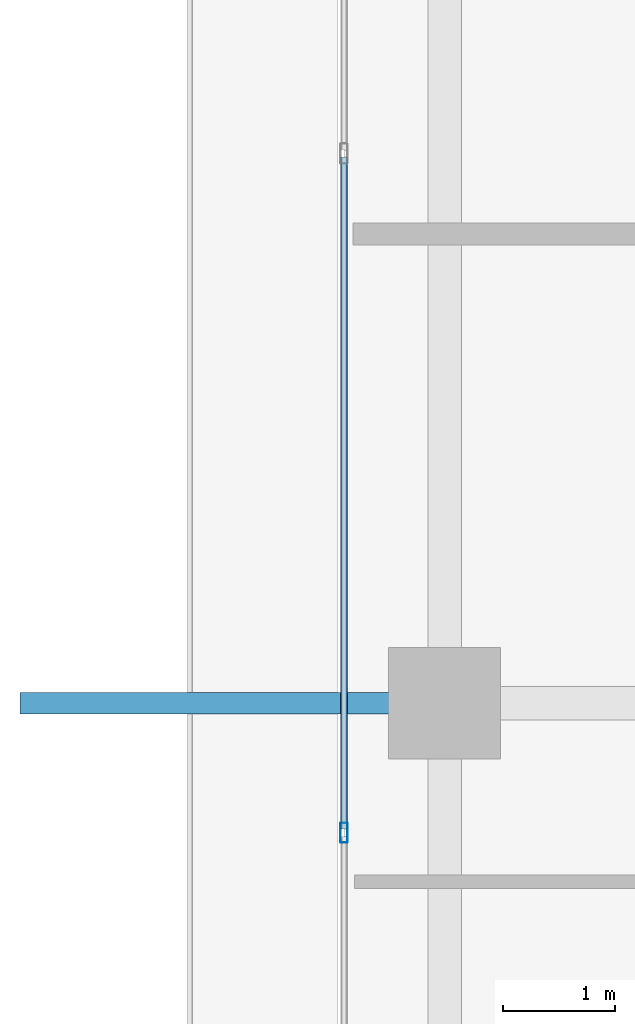
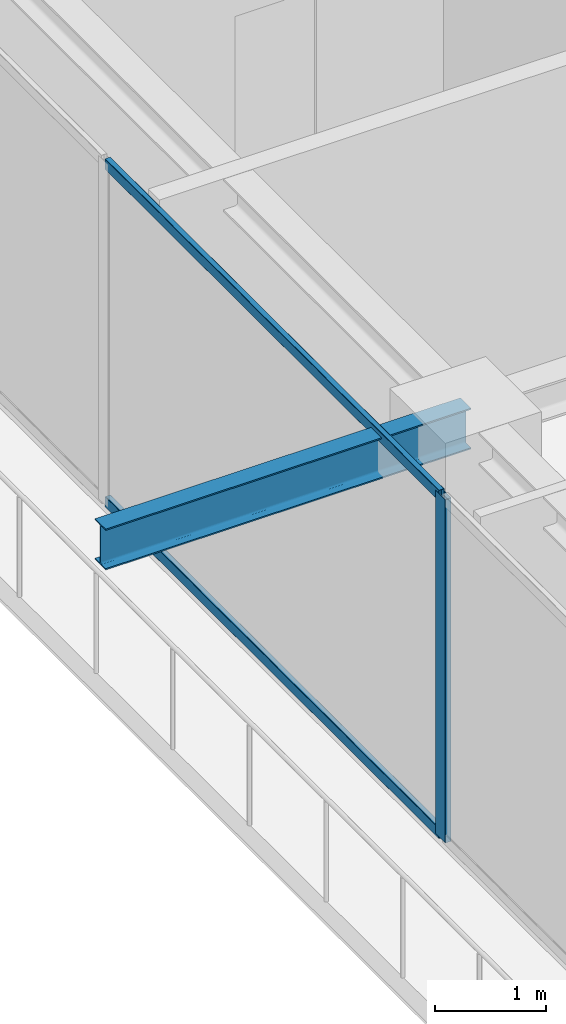
# One storey, part 10 of 40: 3 members, 1 beam, 1 element without a shape of its own.
"""IFC4 building model written with IfcOpenShell, lengths in metres."""

from ifc_helpers import new_model, si_unit, direction, frame, origin, origin_2d, place, context, subcontext, project, spatial, hollow_rectangle, i_section, extrude, source, transform, mapped, material, layer, layer_set, material_profile, profile_set, type_object, element, aggregate, save


model = new_model("IFC4")

# Units and contexts
model_context = context("Model", 3, precision=1e-05, world=origin(), true_north=direction((0.0, 1.0)))
body_context = subcontext(model_context, "Body", "Model", "MODEL_VIEW")
ifc_project = project(units=[si_unit("LENGTHUNIT", "METRE"), si_unit("AREAUNIT", "SQUARE_METRE"), si_unit("VOLUMEUNIT", "CUBIC_METRE"), si_unit("PLANEANGLEUNIT", "RADIAN"), si_unit("MASSUNIT", "GRAM", prefix="KILO")], contexts=[model_context])

# Site, building, storey
site_placement = place(None, origin())
site = spatial("IfcSite", under=ifc_project, at=site_placement, CompositionType="ELEMENT")
building_placement = place(site_placement, origin())
building = spatial("IfcBuilding", under=site, at=building_placement, Name="Serunith Strait Residences", CompositionType="ELEMENT")
storey_placement = place(building_placement, frame((0.0, 0.0, 313.699951171875)))
storey = spatial("IfcBuildingStorey", under=building, at=storey_placement, Name="L78", CompositionType="ELEMENT", Elevation=313.699951171875)

# Beam
ifc_material_1 = material(Name="Steel S355J2", Category="steel")
ifc_material_profile_1 = material_profile(ifc_material_1, i_section(OverallWidth=0.18994140625, OverallDepth=0.449951171875, WebThickness=0.009521484375, FlangeThickness=0.0146484375, FilletRadius=0.02099609375, at=origin_2d()), Name="IPE 450")
ifc_profile_set_1 = profile_set([ifc_material_profile_1], Name="Steel S355J2")
beam_type = type_object("IfcBeamType", Name="BM-IPE450", PredefinedType="JOIST", material=ifc_profile_set_1)
shared_shape_1 = source(origin(), body_context, "Body", "SweptSolid", [
    extrude(i_section(OverallWidth=0.18994140625, OverallDepth=0.449951171875, WebThickness=0.009521484375, FlangeThickness=0.0146484375, FilletRadius=0.02099609375, at=origin_2d()), origin(), (0.0, 0.0, 1.0), 3.800048828125),
])
beam_placement = place(storey_placement, frame((10.10009765625, 29.39990234375, 3.531982421875), z_axis=(-1.0, 0.0, 0.0), x_axis=(0.0, -1.0, 0.0)))
element("IfcBeam", 1, at=beam_placement, inside=storey, type_object=beam_type, Name="L79 Cantilevered Balcony Rib TC-W3", PredefinedType="JOIST", context=body_context, shape_type="MappedRepresentation", body=[
    mapped(shared_shape_1, transform((0.0, 0.0, 0.0), scale=1.0)),
])

# Curtain wall, members
ifc_material_2 = material(Name="Brushed Stainless-Silver Aluminium", Category="aluminium")
ifc_layer = layer(ifc_material_2, 0.199951171875, Name="Brushed Stainless-Silver Aluminium")
ifc_layer_set = layer_set([ifc_layer], Name="Brushed Stainless-Silver Aluminium")
curtain_wall_type = type_object("IfcCurtainWallType", Name="CW-SYS5", PredefinedType="NOTDEFINED", material=ifc_layer_set)
curtain_wall_placement = place(storey_placement, origin())
curtain_wall = element("IfcCurtainWall", 2, at=curtain_wall_placement, inside=storey, type_object=curtain_wall_type, Name="L78 W Unitised Fritted Curtain Wall", PredefinedType="NOTDEFINED")
ifc_material_profile_2 = material_profile(ifc_material_2, hollow_rectangle(XDim=0.06494140625, YDim=0.179931640625, WallThickness=0.00341796875, InnerFilletRadius=0.00537109375, OuterFilletRadius=0.0087890625, at=origin_2d()), Name="ALU 180x65x3.5")
ifc_profile_set_2 = profile_set([ifc_material_profile_2], Name="Brushed Stainless-Silver Aluminium")
member_type_1 = type_object("IfcMemberType", Name="CW-SYS5-MULL", PredefinedType="MULLION", material=ifc_profile_set_2)
shared_shape_2 = source(origin(), body_context, "Body", "SweptSolid", [
    extrude(hollow_rectangle(XDim=0.06494140625, YDim=0.179931640625, WallThickness=0.00341796875, InnerFilletRadius=0.00537109375, OuterFilletRadius=0.0087890625, at=origin_2d()), origin(), (0.0, 0.0, 1.0), 3.775146484375),
])
member_1_placement = place(storey_placement, frame((9.199951171875, 28.239990234375, 0.0), z_axis=(0.0, 0.0, 1.0), x_axis=(1.0, 0.0, 0.0)))
member_1 = element("IfcMember", 3, at=member_1_placement, type_object=member_type_1, Name="CW-5 mullion 3", PredefinedType="MULLION", context=body_context, shape_type="MappedRepresentation", body=[
    mapped(shared_shape_2, transform((0.0, 0.0, 0.0), scale=1.0)),
])
ifc_material_profile_3 = material_profile(ifc_material_2, hollow_rectangle(XDim=0.06005859375, YDim=0.1201171875, WallThickness=0.00341796875, InnerFilletRadius=0.00537109375, OuterFilletRadius=0.0087890625, at=origin_2d()), Name="ALU 120x60x3.5")
ifc_profile_set_3 = profile_set([ifc_material_profile_3], Name="Brushed Stainless-Silver Aluminium")
member_type_2 = type_object("IfcMemberType", Name="CW-SYS5-TRAN", PredefinedType="USERDEFINED", material=ifc_profile_set_3)
shared_shape_3 = source(origin(), body_context, "Body", "SweptSolid", [
    extrude(hollow_rectangle(XDim=0.06005859375, YDim=0.1201171875, WallThickness=0.00341796875, InnerFilletRadius=0.00537109375, OuterFilletRadius=0.0087890625, at=origin_2d()), origin(), (0.0, 0.0, 1.0), 6.01513671875),
])
member_2_placement = place(storey_placement, frame((9.199951171875, 34.28759765625, 0.030029296875), z_axis=(0.0, -1.0, 0.0), x_axis=(1.0, 0.0, 0.0)))
member_2 = element("IfcMember", 4, at=member_2_placement, type_object=member_type_2, Name="CW-5 transom 2.1", ObjectType="TRANSOM", PredefinedType="USERDEFINED", context=body_context, shape_type="MappedRepresentation", body=[
    mapped(shared_shape_3, transform((0.0, 0.0, 0.0), scale=1.0)),
])
member_3_placement = place(storey_placement, frame((9.199951171875, 34.28759765625, 3.7451171875), z_axis=(0.0, -1.0, 0.0), x_axis=(1.0, 0.0, 0.0)))
member_3 = element("IfcMember", 5, at=member_3_placement, type_object=member_type_2, Name="CW-5 transom 2.2", ObjectType="TRANSOM", PredefinedType="USERDEFINED", context=body_context, shape_type="MappedRepresentation", body=[
    mapped(shared_shape_3, transform((0.0, 0.0, 0.0), scale=1.0)),
])
aggregate(curtain_wall, [member_1, member_2, member_3])

save(model, "model.ifc")
